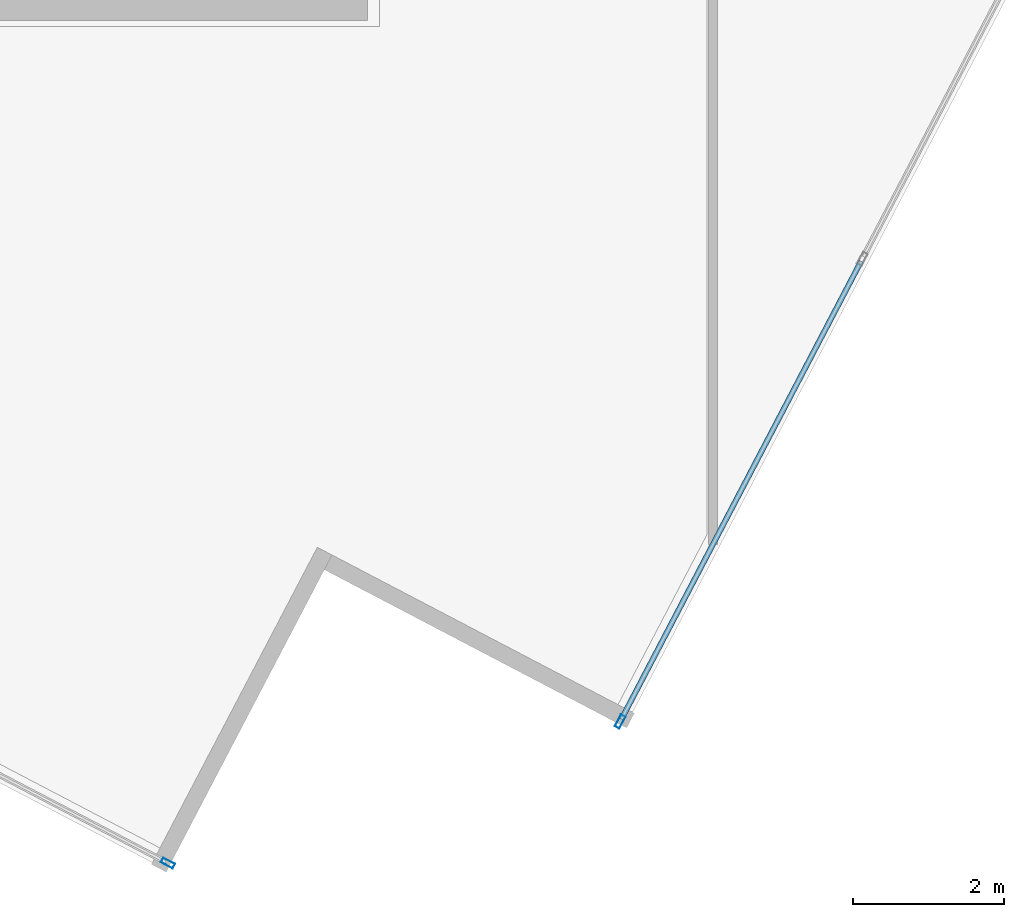
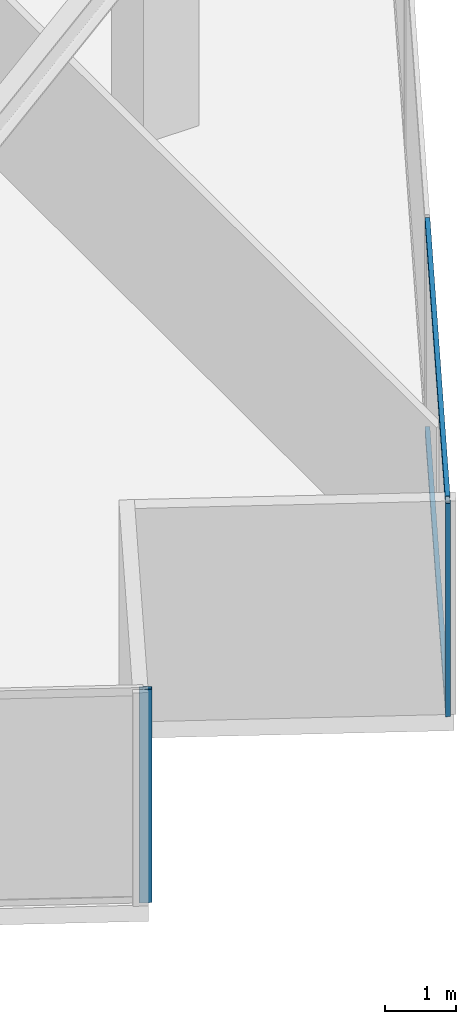
# One storey, part 9 of 27: 4 members, 2 elements without a shape of their own.
"""IFC4 building model written with IfcOpenShell, lengths in metres."""

from ifc_helpers import new_model, si_unit, direction, frame, origin, origin_2d, place, context, subcontext, project, spatial, hollow_rectangle, extrude, source, transform, mapped, material, material_profile, profile_set, type_object, type_shapes, element, aggregate, save


model = new_model("IFC4")

# Units and contexts
model_context = context("Model", 3, precision=1e-05, world=origin(), true_north=direction((0.0, 1.0)))
body_context = subcontext(model_context, "Body", "Model", "MODEL_VIEW")
ifc_project = project(units=[si_unit("LENGTHUNIT", "METRE"), si_unit("AREAUNIT", "SQUARE_METRE"), si_unit("VOLUMEUNIT", "CUBIC_METRE"), si_unit("PLANEANGLEUNIT", "RADIAN"), si_unit("MASSUNIT", "GRAM", prefix="KILO")], contexts=[model_context])

# Site, building, storey
site_placement = place(None, origin())
site = spatial("IfcSite", under=ifc_project, at=site_placement, CompositionType="ELEMENT")
building_placement = place(site_placement, origin())
building = spatial("IfcBuilding", under=site, at=building_placement, Name="Krantzveldt Concourse Tower", CompositionType="ELEMENT")
storey_placement = place(building_placement, frame((0.0, 0.0, 150.14990234375)))
storey = spatial("IfcBuildingStorey", under=building, at=storey_placement, Name="L36", CompositionType="ELEMENT", Elevation=150.14990234375)

# Curtain wall, member
ifc_material = material(Name="Anodised aluminium 6063-T6", Category="aluminium")
curtain_wall_type = type_object("IfcCurtainWallType", Name="CW3", PredefinedType="USERDEFINED", material=ifc_material)
curtain_wall_1_placement = place(storey_placement, origin())
curtain_wall_1 = element("IfcCurtainWall", 1, at=curtain_wall_1_placement, inside=storey, type_object=curtain_wall_type, Name="CW-L36-F04", ObjectType="UNITISED CURTAIN WALL", PredefinedType="USERDEFINED")
ifc_material_profile_1 = material_profile(ifc_material, hollow_rectangle(XDim=0.070068359375, YDim=0.179931640625, WallThickness=0.0048828125, at=origin_2d()), Name="Anodised aluminium 6063-T6", Category="aluminium")
ifc_profile_set_1 = profile_set([ifc_material_profile_1], Name="Anodised aluminium 6063-T6 - ALU-MULL 180x70x5")
member_type_1 = type_object("IfcMemberType", Name="CW-MUL-180", PredefinedType="MULLION", material=ifc_profile_set_1)
shared_shape_1 = source(origin(), body_context, "Body", "SweptSolid", [
    extrude(hollow_rectangle(XDim=0.070068359375, YDim=0.179931640625, WallThickness=0.0048828125, at=origin_2d()), origin(), (0.0, 0.0, 1.0), 3.670166015625),
])
type_shapes(member_type_1, [shared_shape_1])
member_1_placement = place(storey_placement, frame((41.2724609375, -0.675537109375, 0.0), z_axis=(0.0, 0.0, 1.0), x_axis=(0.463682819502, 0.886001265743, 0.0)))
member_1 = element("IfcMember", 2, at=member_1_placement, type_object=member_type_1, Name="CW-Z34 mullion 6", PredefinedType="MULLION", context=body_context, shape_type="MappedRepresentation", body=[
    mapped(shared_shape_1, transform((0.0, 0.0, 0.0), x_axis=(1.0, 0.0, 0.0), y_axis=(0.0, 1.0, 0.0), z_axis=(0.0, 0.0, 1.0), scale=1.0)),
])
aggregate(curtain_wall_1, [member_1])

# Curtain wall, members
curtain_wall_2_placement = place(storey_placement, origin())
curtain_wall_2 = element("IfcCurtainWall", 3, at=curtain_wall_2_placement, inside=storey, type_object=curtain_wall_type, Name="CW-L36-F07", ObjectType="UNITISED CURTAIN WALL", PredefinedType="USERDEFINED")
member_2_placement = place(storey_placement, frame((47.271728515625, 1.20166015625, 0.0), z_axis=(0.0, 0.0, 1.0), x_axis=(-0.886001265743, 0.463682819502, 0.0)))
member_2 = element("IfcMember", 4, at=member_2_placement, type_object=member_type_1, Name="CW-Z34 mullion 1", PredefinedType="MULLION", context=body_context, shape_type="MappedRepresentation", body=[
    mapped(shared_shape_1, transform((0.0, 0.0, 0.0), x_axis=(1.0, 0.0, 0.0), y_axis=(0.0, 1.0, 0.0), z_axis=(0.0, 0.0, 1.0), scale=1.0)),
])
ifc_material_profile_2 = material_profile(ifc_material, hollow_rectangle(XDim=0.070068359375, YDim=0.139892578125, WallThickness=0.0048828125, at=origin_2d()), Name="Anodised aluminium 6063-T6", Category="aluminium")
ifc_profile_set_2 = profile_set([ifc_material_profile_2], Name="Anodised aluminium 6063-T6 - ALU-TRAN 140x70x5")
member_type_2 = type_object("IfcMemberType", Name="CW-TRN-150", PredefinedType="USERDEFINED", material=ifc_profile_set_2)
shared_shape_2 = source(origin(), body_context, "Body", "SweptSolid", [
    extrude(hollow_rectangle(XDim=0.070068359375, YDim=0.139892578125, WallThickness=0.0048828125, at=origin_2d()), origin(), (0.0, 0.0, 1.0), 6.85498046875),
])
type_shapes(member_type_2, [shared_shape_2])
member_3_placement = place(storey_placement, frame((47.2880859375, 1.232666015625, 0.03515625), z_axis=(0.463676917957, 0.886004354252, 0.0), x_axis=(-0.886004354252, 0.463676917957, 0.0)))
member_3 = element("IfcMember", 5, at=member_3_placement, type_object=member_type_2, Name="CW-Z34 transom 1.1", ObjectType="TRANSOM", PredefinedType="USERDEFINED", context=body_context, shape_type="MappedRepresentation", body=[
    mapped(shared_shape_2, transform((0.0, 0.0, 0.0), x_axis=(1.0, 0.0, 0.0), y_axis=(0.0, 1.0, 0.0), z_axis=(0.0, 0.0, 1.0), scale=1.0)),
])
member_4_placement = place(storey_placement, frame((47.2880859375, 1.232666015625, 3.635009765625), z_axis=(0.463676917957, 0.886004354252, 0.0), x_axis=(-0.886004354252, 0.463676917957, 0.0)))
member_4 = element("IfcMember", 6, at=member_4_placement, type_object=member_type_2, Name="CW-Z34 transom 1.2", ObjectType="TRANSOM", PredefinedType="USERDEFINED", context=body_context, shape_type="MappedRepresentation", body=[
    mapped(shared_shape_2, transform((0.0, 0.0, 0.0), x_axis=(1.0, 0.0, 0.0), y_axis=(0.0, 1.0, 0.0), z_axis=(0.0, 0.0, 1.0), scale=1.0)),
])
aggregate(curtain_wall_2, [member_2, member_3, member_4])

save(model, "model.ifc")
